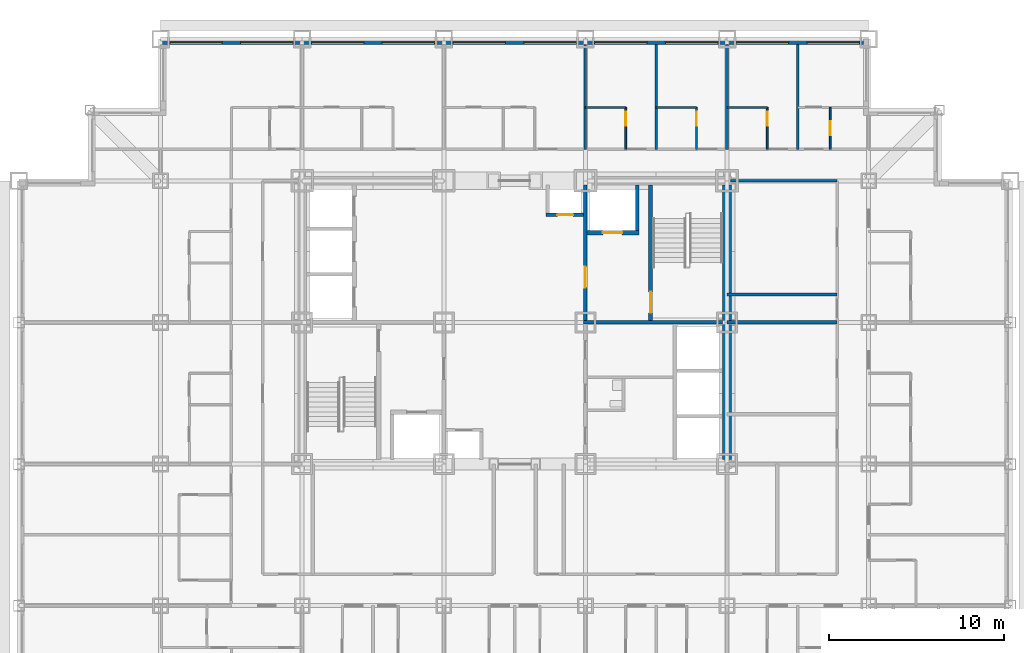
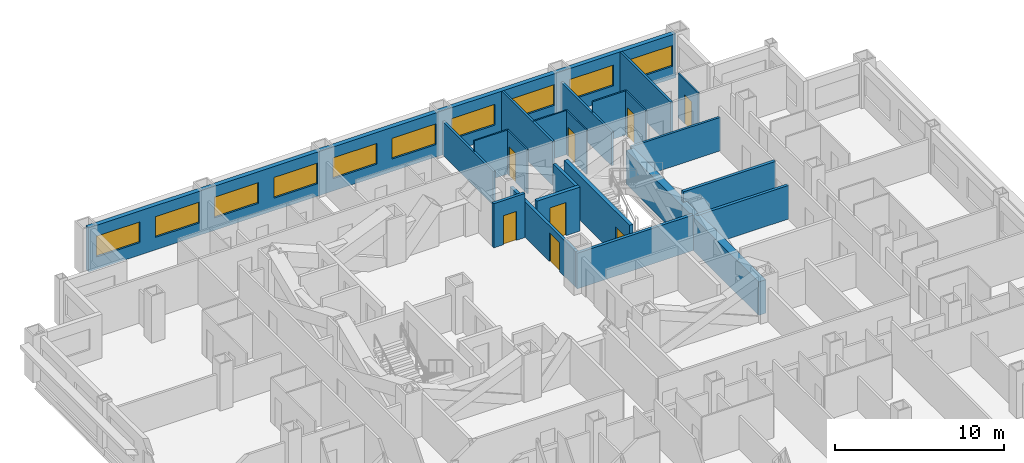
# One storey, part 9 of 12: 22 walls, 10 windows, 8 doors, 18 openings.
"""IFC4 building model written with IfcOpenShell, lengths in metres."""

import ifcopenshell
import ifcopenshell.guid

model = None  # the IFC model being written
_history = None  # IfcOwnerHistory: only IFC2X3 demands one
_inside = {}  # id of a spatial element -> (the spatial element, [elements in it])
_under = {}  # id of a project, library or spatial element -> (it, [spatial elements below it])
_declared = {}  # id of a project -> (the project, [libraries it declares])
_typed = {}  # id of a type object -> (the type object, [elements of that type])
_made_of = {}  # id of a material, layer set ... -> (it, [elements and type objects made of it])


def new_model(schema):
    """Start an empty IFC model of exactly this schema.

    Asked for "IFC4X3", IfcOpenShell would pick the latest addendum, in which some entities
    have other attributes; the version numbers below select the first issue.
    IFC2X3 requires an IfcOwnerHistory on every rooted entity: one is made here for all.
    """
    global model, _history
    if schema == "IFC4X3":
        model = ifcopenshell.file(schema_version=(4, 3, 0, 0))
    else:
        model = ifcopenshell.file(schema=schema)
    _inside.clear()
    _under.clear()
    _declared.clear()
    _typed.clear()
    _made_of.clear()
    _history = None
    if model.schema == "IFC2X3":
        org = make("IfcOrganization", Name="unknown")
        user = make(
            "IfcPersonAndOrganization",
            ThePerson=make("IfcPerson", FamilyName="unknown"),
            TheOrganization=org,
        )
        app = make(
            "IfcApplication",
            ApplicationDeveloper=org,
            Version="unknown",
            ApplicationFullName="unknown",
            ApplicationIdentifier="unknown",
        )
        _history = make(
            "IfcOwnerHistory",
            OwningUser=user,
            OwningApplication=app,
            ChangeAction="ADDED",
            CreationDate=0,
        )
    return model


def make(cls, **values):
    """One entity of the class cls with the attributes given. An attribute that is None is left unset."""
    return model.create_entity(
        cls, **{name: value for name, value in values.items() if value is not None}
    )


def rooted(cls, **values):
    """An entity with a GlobalId (a new one), such as an element, a storey or a relation."""
    return make(cls, GlobalId=ifcopenshell.guid.new(), OwnerHistory=_history, **values)


def si_unit(unit_type, name, prefix=None):
    """IfcSIUnit, for example si_unit("LENGTHUNIT", "METRE", prefix="MILLI")."""
    return make("IfcSIUnit", UnitType=unit_type, Prefix=prefix, Name=name)


def assignment(units):
    """IfcUnitAssignment: the units of a project."""
    return None if units is None else make("IfcUnitAssignment", Units=units)


def point(xyz):
    """IfcCartesianPoint."""
    return None if xyz is None else make("IfcCartesianPoint", Coordinates=xyz)


def direction(xyz):
    """IfcDirection."""
    return None if xyz is None else make("IfcDirection", DirectionRatios=xyz)


def frame(location, z_axis=None, x_axis=None):
    """IfcAxis2Placement3D, a coordinate frame: its origin and axes. An axis left out is left unset."""
    return make(
        "IfcAxis2Placement3D",
        Location=point(location),
        Axis=direction(z_axis),
        RefDirection=direction(x_axis),
    )


def frame_2d(location, x_axis=None):
    """IfcAxis2Placement2D, a coordinate frame in the plane: its origin and x axis."""
    return make(
        "IfcAxis2Placement2D", Location=point(location), RefDirection=direction(x_axis)
    )


def origin():
    """The frame at (0, 0, 0) with its axes left unset."""
    return frame((0.0, 0.0, 0.0))


def place(relative_to, where):
    """IfcLocalPlacement: puts the frame where relative to a parent placement (None: the world)."""
    return make(
        "IfcLocalPlacement", PlacementRelTo=relative_to, RelativePlacement=where
    )


def context(
    kind, dimensions, precision=None, world=None, true_north=None, identifier=None
):
    """IfcGeometricRepresentationContext, for example the 3D "Model" context."""
    return make(
        "IfcGeometricRepresentationContext",
        ContextIdentifier=identifier,
        ContextType=kind,
        CoordinateSpaceDimension=dimensions,
        Precision=precision,
        WorldCoordinateSystem=world,
        TrueNorth=true_north,
    )


def subcontext(parent, identifier, kind, view, scale=None):
    """IfcGeometricRepresentationSubContext, for example "Body" below "Model"."""
    return make(
        "IfcGeometricRepresentationSubContext",
        ContextIdentifier=identifier,
        ContextType=kind,
        ParentContext=parent,
        TargetScale=scale,
        TargetView=view,
    )


def project(units=None, contexts=None):
    """IfcProject with its units and contexts."""
    return rooted(
        "IfcProject",
        Name="project",
        RepresentationContexts=contexts,
        UnitsInContext=assignment(units),
    )


def spatial(cls, under=None, at=None, **own):
    """A site, building, storey or space (cls), placed at a placement, below another one or the project."""
    s = rooted(cls, ObjectPlacement=at, **own)
    if under is not None:
        _under.setdefault(under.id(), (under, []))[1].append(s)
    return s


def profile(cls, at=None, kind="AREA", **sizes):
    """A parametric profile (cls). Its sizes go by their IFC names, for example OverallWidth=200.0."""
    return make(cls, ProfileType=kind, Position=at, **sizes)


def rectangle(**sizes):
    """IfcRectangleProfileDef."""
    return profile("IfcRectangleProfileDef", **sizes)


def extrude(swept, where, along, depth):
    """IfcExtrudedAreaSolid: the profile swept, set in the frame where, extruded along a direction by depth."""
    return make(
        "IfcExtrudedAreaSolid",
        SweptArea=swept,
        Position=where,
        ExtrudedDirection=direction(along),
        Depth=depth,
    )


def shape(context_of_items, identifier, shape_type, items):
    """IfcShapeRepresentation: the items that make up one representation, for example the "Body"."""
    return make(
        "IfcShapeRepresentation",
        ContextOfItems=context_of_items,
        RepresentationIdentifier=identifier,
        RepresentationType=shape_type,
        Items=items,
    )


def material(Name=None, Category=None):
    """IfcMaterial."""
    return make("IfcMaterial", Name=Name, Category=Category)


def layer(
    of_material, thickness, ventilated=None, Name=None, Category=None, Priority=None
):
    """IfcMaterialLayer: one layer of a wall or slab, of a material (None: an air gap)."""
    return make(
        "IfcMaterialLayer",
        Material=of_material,
        LayerThickness=thickness,
        IsVentilated=ventilated,
        Name=Name,
        Category=Category,
        Priority=Priority,
    )


def layer_set(layers, Name=None):
    """IfcMaterialLayerSet."""
    return make("IfcMaterialLayerSet", MaterialLayers=layers, LayerSetName=Name)


def made_of(thing, what):
    """Note that an element or type object is made of a material, layer set ...; save() writes the relation."""
    if what is not None:
        _made_of.setdefault(what.id(), (what, []))[1].append(thing)
    return thing


def type_object(cls, material=None, **own):
    """A type object (cls), such as IfcWallType, which elements share."""
    return made_of(rooted(cls, **own), material)


def element(
    cls,
    number,
    at=None,
    inside=None,
    cuts=None,
    type_object=None,
    material=None,
    context=None,
    identifier="Body",
    shape_type=None,
    held_by="IfcProductDefinitionShape",
    body=None,
    shapes=None,
    **own,
):
    """One element of the class cls, such as IfcWall. Its Tag is "e" and its number.

    at: its placement. inside: the storey or other place that contains it. cuts: it is an
    opening in that element (IfcRelVoidsElement). A single representation is given by context,
    identifier, shape_type and body (its items); several are given by shapes. held_by: the class
    of the entity that holds the representations. save() writes the other relations.
    """
    e = rooted(cls, Tag="e%d" % number, ObjectPlacement=at, **own)
    if body is not None:
        shapes = [shape(context, identifier, shape_type, body)]
    if shapes is not None:
        e.Representation = make(held_by, Representations=shapes)
    if inside is not None:
        _inside.setdefault(inside.id(), (inside, []))[1].append(e)
    if cuts is not None:
        rooted(
            "IfcRelVoidsElement", RelatingBuildingElement=cuts, RelatedOpeningElement=e
        )
    if type_object is not None:
        _typed.setdefault(type_object.id(), (type_object, []))[1].append(e)
    return made_of(e, material)


def fill(opening, filler):
    """IfcRelFillsElement: the door or window that sits in an opening."""
    return rooted(
        "IfcRelFillsElement",
        RelatingOpeningElement=opening,
        RelatedBuildingElement=filler,
    )


def aggregate(whole, parts):
    """IfcRelAggregates: a whole, such as a stair, and the parts it consists of."""
    return rooted("IfcRelAggregates", RelatingObject=whole, RelatedObjects=parts)


def save(model, path):
    """Write the relations noted so far, then the file.

    IfcRelAggregates (storeys below a building ...), IfcRelContainedInSpatialStructure (elements
    in a storey), IfcRelDefinesByType, IfcRelAssociatesMaterial and IfcRelDeclares: one each for
    every whole, place, type object, material and project.
    """
    for whole, parts in _under.values():
        aggregate(whole, parts)
    for where, things in _inside.values():
        rooted(
            "IfcRelContainedInSpatialStructure",
            RelatedElements=things,
            RelatingStructure=where,
        )
    for kind, things in _typed.values():
        rooted("IfcRelDefinesByType", RelatedObjects=things, RelatingType=kind)
    for what, things in _made_of.values():
        rooted("IfcRelAssociatesMaterial", RelatedObjects=things, RelatingMaterial=what)
    for by, libraries in _declared.values():
        rooted("IfcRelDeclares", RelatingContext=by, RelatedDefinitions=libraries)
    model.write(path)


model = new_model("IFC4")

# Units and contexts
model_context = context("Model", 3, precision=1e-05, world=origin(), true_north=direction((0.0, 1.0)))
body_context = subcontext(model_context, "Body", "Model", "MODEL_VIEW")
ifc_project = project(units=[si_unit("LENGTHUNIT", "METRE"), si_unit("AREAUNIT", "SQUARE_METRE"), si_unit("VOLUMEUNIT", "CUBIC_METRE"), si_unit("PLANEANGLEUNIT", "RADIAN"), si_unit("MASSUNIT", "GRAM", prefix="KILO")], contexts=[model_context])

# Site, building, storey
site_placement = place(None, origin())
site = spatial("IfcSite", under=ifc_project, at=site_placement, CompositionType="ELEMENT")
building_placement = place(site_placement, origin())
building = spatial("IfcBuilding", under=site, at=building_placement, Name="Kopane Lantern Tower", CompositionType="ELEMENT")
storey_placement = place(building_placement, frame((0.0, 0.0, 77.199951171875)))
storey = spatial("IfcBuildingStorey", under=building, at=storey_placement, Name="L19", CompositionType="ELEMENT", Elevation=77.199951171875)

# Wall
ifc_material_1 = material(Name="Moisture-resistant board on steel studs", Category="steel")
ifc_layer_1 = layer(ifc_material_1, 0.10009765625)
ifc_layer_set_1 = layer_set([ifc_layer_1], Name="BATHROOM WALL 100")
wall_type_1 = type_object("IfcWallType", Name="BATHROOM WALL 100", PredefinedType="PARTITIONING", material=ifc_layer_set_1)
wall_1_placement = place(storey_placement, frame((32.39990234375, 44.699951171875, 0.0), z_axis=(0.0, 0.0, 1.0), x_axis=(1.0, 0.0, 0.0)))
element("IfcWall", 1, at=wall_1_placement, inside=storey, type_object=wall_type_1, Name="Bathroom Wall 100 L19", PredefinedType="PARTITIONING", context=body_context, shape_type="SweptSolid", body=[
    extrude(rectangle(XDim=2.300048828125, YDim=0.10009765625, at=frame_2d((1.14990234375, 0.0))), origin(), (0.0, 0.0, 1.0), 3.18994140625),
])

# Wall, opening, door
wall_2_placement = place(storey_placement, frame((34.699951171875, 42.300048828125, 0.0), z_axis=(0.0, 0.0, 1.0), x_axis=(0.0, 1.0, 0.0)))
wall_2 = element("IfcWall", 2, at=wall_2_placement, inside=storey, type_object=wall_type_1, Name="Bathroom Wall 100 L19", PredefinedType="PARTITIONING", context=body_context, shape_type="SweptSolid", body=[
    extrude(rectangle(XDim=2.39990234375, YDim=0.10009765625, at=frame_2d((1.199951171875, 0.0))), origin(), (0.0, 0.0, 1.0), 3.18994140625),
])
opening_1_placement = place(wall_2_placement, frame((1.35009765625, 0.0, 0.0)))
opening_1 = element("IfcOpeningElement", 3, at=opening_1_placement, cuts=wall_2, Name="Opening L19-033", PredefinedType="OPENING", context=body_context, shape_type="SweptSolid", body=[
    extrude(rectangle(XDim=0.800048828125, YDim=2.10009765625, at=frame_2d((0.39990234375, 1.050048828125))), frame((0.0, 0.06005859375, 0.0), z_axis=(0.0, -1.0, 0.0), x_axis=(1.0, 0.0, 0.0)), (0.0, 0.0, 1.0), 0.1201171875),
])
ifc_material_2 = material(Name="Timber door set", Category="wood")
door_type_1 = type_object("IfcDoorType", Name="DOOR D2 800x2100", OperationType="SINGLE_SWING_LEFT", PredefinedType="DOOR", material=ifc_material_2)
door_1_placement = place(opening_1_placement, origin())
door_1 = element("IfcDoor", 4, at=door_1_placement, inside=storey, type_object=door_type_1, Name="Door L19-033", OperationType="SINGLE_SWING_RIGHT", OverallHeight=2.10009765625, OverallWidth=0.800048828125, PredefinedType="DOOR", context=body_context, shape_type="SweptSolid", body=[
    extrude(rectangle(XDim=0.800048828125, YDim=2.10009765625, at=frame_2d((0.39990234375, 1.050048828125))), frame((0.0, 0.02490234375, 0.0), z_axis=(0.0, -1.0, 0.0), x_axis=(1.0, 0.0, 0.0)), (0.0, 0.0, 1.0), 0.050048828125),
])
fill(opening_1, door_1)

# Wall
wall_3_placement = place(storey_placement, frame((36.449951171875, 44.699951171875, 0.0), z_axis=(0.0, 0.0, 1.0), x_axis=(1.0, 0.0, 0.0)))
element("IfcWall", 5, at=wall_3_placement, inside=storey, type_object=wall_type_1, Name="Bathroom Wall 100 L19", PredefinedType="PARTITIONING", context=body_context, shape_type="SweptSolid", body=[
    extrude(rectangle(XDim=2.300048828125, YDim=0.10009765625, at=frame_2d((1.14990234375, 0.0))), origin(), (0.0, 0.0, 1.0), 3.18994140625),
])

# Wall, opening, door
wall_4_placement = place(storey_placement, frame((38.75, 42.300048828125, 0.0), z_axis=(0.0, 0.0, 1.0), x_axis=(0.0, 1.0, 0.0)))
wall_4 = element("IfcWall", 6, at=wall_4_placement, inside=storey, type_object=wall_type_1, Name="Bathroom Wall 100 L19", PredefinedType="PARTITIONING", context=body_context, shape_type="SweptSolid", body=[
    extrude(rectangle(XDim=2.39990234375, YDim=0.10009765625, at=frame_2d((1.199951171875, 0.0))), origin(), (0.0, 0.0, 1.0), 3.18994140625),
])
opening_2_placement = place(wall_4_placement, frame((1.35009765625, 0.0, 0.0)))
opening_2 = element("IfcOpeningElement", 7, at=opening_2_placement, cuts=wall_4, Name="Opening L19-035", PredefinedType="OPENING", context=body_context, shape_type="SweptSolid", body=[
    extrude(rectangle(XDim=0.800048828125, YDim=2.10009765625, at=frame_2d((0.39990234375, 1.050048828125))), frame((0.0, 0.06005859375, 0.0), z_axis=(0.0, -1.0, 0.0), x_axis=(1.0, 0.0, 0.0)), (0.0, 0.0, 1.0), 0.1201171875),
])
door_2_placement = place(opening_2_placement, origin())
door_2 = element("IfcDoor", 8, at=door_2_placement, inside=storey, type_object=door_type_1, Name="Door L19-035", OperationType="SINGLE_SWING_RIGHT", OverallHeight=2.10009765625, OverallWidth=0.800048828125, PredefinedType="DOOR", context=body_context, shape_type="SweptSolid", body=[
    extrude(rectangle(XDim=0.800048828125, YDim=2.10009765625, at=frame_2d((0.39990234375, 1.050048828125))), frame((0.0, 0.02490234375, 0.0), z_axis=(0.0, -1.0, 0.0), x_axis=(1.0, 0.0, 0.0)), (0.0, 0.0, 1.0), 0.050048828125),
])
fill(opening_2, door_2)

# Wall
wall_5_placement = place(storey_placement, frame((40.5, 44.699951171875, 0.0), z_axis=(0.0, 0.0, 1.0), x_axis=(1.0, 0.0, 0.0)))
element("IfcWall", 9, at=wall_5_placement, inside=storey, type_object=wall_type_1, Name="Bathroom Wall 100 L19", PredefinedType="PARTITIONING", context=body_context, shape_type="SweptSolid", body=[
    extrude(rectangle(XDim=2.300048828125, YDim=0.10009765625, at=frame_2d((1.14990234375, 0.0))), origin(), (0.0, 0.0, 1.0), 3.18994140625),
])

# Wall, opening, door
wall_6_placement = place(storey_placement, frame((42.800048828125, 42.300048828125, 0.0), z_axis=(0.0, 0.0, 1.0), x_axis=(0.0, 1.0, 0.0)))
wall_6 = element("IfcWall", 10, at=wall_6_placement, inside=storey, type_object=wall_type_1, Name="Bathroom Wall 100 L19", PredefinedType="PARTITIONING", context=body_context, shape_type="SweptSolid", body=[
    extrude(rectangle(XDim=2.39990234375, YDim=0.10009765625, at=frame_2d((1.199951171875, 0.0))), origin(), (0.0, 0.0, 1.0), 3.18994140625),
])
opening_3_placement = place(wall_6_placement, frame((1.35009765625, 0.0, 0.0)))
opening_3 = element("IfcOpeningElement", 11, at=opening_3_placement, cuts=wall_6, Name="Opening L19-037", PredefinedType="OPENING", context=body_context, shape_type="SweptSolid", body=[
    extrude(rectangle(XDim=0.800048828125, YDim=2.10009765625, at=frame_2d((0.39990234375, 1.050048828125))), frame((0.0, 0.06005859375, 0.0), z_axis=(0.0, -1.0, 0.0), x_axis=(1.0, 0.0, 0.0)), (0.0, 0.0, 1.0), 0.1201171875),
])
door_3_placement = place(opening_3_placement, origin())
door_3 = element("IfcDoor", 12, at=door_3_placement, inside=storey, type_object=door_type_1, Name="Door L19-037", OperationType="SINGLE_SWING_RIGHT", OverallHeight=2.10009765625, OverallWidth=0.800048828125, PredefinedType="DOOR", context=body_context, shape_type="SweptSolid", body=[
    extrude(rectangle(XDim=0.800048828125, YDim=2.10009765625, at=frame_2d((0.39990234375, 1.050048828125))), frame((0.0, 0.02490234375, 0.0), z_axis=(0.0, -1.0, 0.0), x_axis=(1.0, 0.0, 0.0)), (0.0, 0.0, 1.0), 0.050048828125),
])
fill(opening_3, door_3)

wall_7_placement = place(storey_placement, frame((46.39990234375, 42.300048828125, 0.0), z_axis=(0.0, 0.0, 1.0), x_axis=(0.0, 1.0, 0.0)))
wall_7 = element("IfcWall", 13, at=wall_7_placement, inside=storey, type_object=wall_type_1, Name="Bathroom Wall 100 L19", PredefinedType="PARTITIONING", context=body_context, shape_type="SweptSolid", body=[
    extrude(rectangle(XDim=2.39990234375, YDim=0.10009765625, at=frame_2d((1.199951171875, 0.0))), origin(), (0.0, 0.0, 1.0), 3.18994140625),
])
opening_4_placement = place(wall_7_placement, frame((0.800048828125, 0.0, 0.0)))
opening_4 = element("IfcOpeningElement", 14, at=opening_4_placement, cuts=wall_7, Name="Opening L19-067", PredefinedType="OPENING", context=body_context, shape_type="SweptSolid", body=[
    extrude(rectangle(XDim=0.800048828125, YDim=2.10009765625, at=frame_2d((0.39990234375, 1.050048828125))), frame((0.0, 0.06005859375, 0.0), z_axis=(0.0, -1.0, 0.0), x_axis=(1.0, 0.0, 0.0)), (0.0, 0.0, 1.0), 0.1201171875),
])
door_4_placement = place(opening_4_placement, origin())
door_4 = element("IfcDoor", 15, at=door_4_placement, inside=storey, type_object=door_type_1, Name="Door L19-067", OperationType="SINGLE_SWING_RIGHT", OverallHeight=2.10009765625, OverallWidth=0.800048828125, PredefinedType="DOOR", context=body_context, shape_type="SweptSolid", body=[
    extrude(rectangle(XDim=0.800048828125, YDim=2.10009765625, at=frame_2d((0.39990234375, 1.050048828125))), frame((0.0, 0.02490234375, 0.0), z_axis=(0.0, -1.0, 0.0), x_axis=(1.0, 0.0, 0.0)), (0.0, 0.0, 1.0), 0.050048828125),
])
fill(opening_4, door_4)

# Wall
ifc_material_3 = material(Name="Gypsum shaft wall EI 120", Category="gypsum")
ifc_layer_2 = layer(ifc_material_3, 0.5)
ifc_layer_set_2 = layer_set([ifc_layer_2], Name="CORE PERIMETER WALL 500 EI 120")
wall_type_2 = type_object("IfcWallType", Name="CORE PERIMETER WALL 500 EI 120", PredefinedType="SOLIDWALL", material=ifc_layer_set_2)
wall_8_placement = place(storey_placement, frame((40.5, 24.550048828125, 0.0), z_axis=(0.0, 0.0, 1.0), x_axis=(0.0, 1.0, 0.0)))
element("IfcWall", 16, at=wall_8_placement, inside=storey, type_object=wall_type_2, Name="Core shaft wall L19 PE", PredefinedType="SOLIDWALL", context=body_context, shape_type="SweptSolid", body=[
    extrude(rectangle(XDim=15.699951171875, YDim=0.5, at=frame_2d((7.85009765625, 0.0))), origin(), (0.0, 0.0, 1.0), 2.427734375),
])

# Wall, opening, door
ifc_material_4 = material(Name="Gypsum shaft wall EI 120", Category="gypsum")
ifc_layer_3 = layer(ifc_material_4, 0.25)
ifc_layer_set_3 = layer_set([ifc_layer_3], Name="CORE SHAFT WALL 250 EI 120")
wall_type_3 = type_object("IfcWallType", Name="CORE SHAFT WALL 250 EI 120", PredefinedType="SOLIDWALL", material=ifc_layer_set_3)
wall_9_placement = place(storey_placement, frame((36.125, 32.5, 0.0), z_axis=(0.0, 0.0, 1.0), x_axis=(0.0, 1.0, 0.0)))
wall_9 = element("IfcWall", 17, at=wall_9_placement, inside=storey, type_object=wall_type_3, Name="Core shaft wall L19 XST2", PredefinedType="SOLIDWALL", context=body_context, shape_type="SweptSolid", body=[
    extrude(rectangle(XDim=7.75, YDim=0.25, at=frame_2d((3.875, 0.0))), origin(), (0.0, 0.0, 1.0), 3.18994140625),
])
opening_5_placement = place(wall_9_placement, frame((0.449951171875, 0.0, 0.0)))
opening_5 = element("IfcOpeningElement", 18, at=opening_5_placement, cuts=wall_9, Name="Opening 19.SD2", PredefinedType="OPENING", context=body_context, shape_type="SweptSolid", body=[
    extrude(rectangle(XDim=1.199951171875, YDim=2.10009765625, at=frame_2d((0.60009765625, 1.050048828125))), frame((0.0, 0.135009765625, 0.0), z_axis=(0.0, -1.0, 0.0), x_axis=(1.0, 0.0, 0.0)), (0.0, 0.0, 1.0), 0.27001953125),
])
ifc_material_5 = material(Name="Steel door set", Category="steel")
door_type_2 = type_object("IfcDoorType", Name="STAIR DOOR 1200x2100 FD60S", OperationType="SINGLE_SWING_LEFT", PredefinedType="DOOR", material=ifc_material_5)
door_5_placement = place(opening_5_placement, origin())
door_5 = element("IfcDoor", 19, at=door_5_placement, inside=storey, type_object=door_type_2, Name="Stair door ST2 L19", OperationType="SINGLE_SWING_RIGHT", OverallHeight=2.10009765625, OverallWidth=1.199951171875, PredefinedType="DOOR", context=body_context, shape_type="SweptSolid", body=[
    extrude(rectangle(XDim=1.199951171875, YDim=2.10009765625, at=frame_2d((0.60009765625, 1.050048828125))), frame((0.0, 0.02490234375, 0.0), z_axis=(0.0, -1.0, 0.0), x_axis=(1.0, 0.0, 0.0)), (0.0, 0.0, 1.0), 0.050048828125),
])
fill(opening_5, door_5)

wall_10_placement = place(storey_placement, frame((32.5, 37.52490234375, 0.0), z_axis=(0.0, 0.0, 1.0), x_axis=(1.0, 0.0, 0.0)))
wall_10 = element("IfcWall", 20, at=wall_10_placement, inside=storey, type_object=wall_type_3, Name="Core shaft wall L19 YLF2", PredefinedType="SOLIDWALL", context=body_context, shape_type="SweptSolid", body=[
    extrude(rectangle(XDim=2.949951171875, YDim=0.25, at=frame_2d((1.47509765625, 0.0))), origin(), (0.0, 0.0, 1.0), 3.18994140625),
])
opening_6_placement = place(wall_10_placement, frame((0.89990234375, 0.0, 0.0)))
opening_6 = element("IfcOpeningElement", 21, at=opening_6_placement, cuts=wall_10, Name="Opening 19.LD-LF2", PredefinedType="OPENING", context=body_context, shape_type="SweptSolid", body=[
    extrude(rectangle(XDim=1.10009765625, YDim=2.39990234375, at=frame_2d((0.550048828125, 1.199951171875))), frame((0.0, 0.135009765625, 0.0), z_axis=(0.0, -1.0, 0.0), x_axis=(1.0, 0.0, 0.0)), (0.0, 0.0, 1.0), 0.27001953125),
])
ifc_material_6 = material(Name="Steel door set", Category="steel")
door_type_3 = type_object("IfcDoorType", Name="LIFT LANDING DOOR 1100x2400 FD60", OperationType="DOUBLE_DOOR_SLIDING", PredefinedType="DOOR", material=ifc_material_6)
door_6_placement = place(opening_6_placement, origin())
door_6 = element("IfcDoor", 22, at=door_6_placement, inside=storey, type_object=door_type_3, Name="Landing door LF2 L19", OperationType="DOUBLE_DOOR_SLIDING", OverallHeight=2.39990234375, OverallWidth=1.10009765625, PredefinedType="DOOR", context=body_context, shape_type="SweptSolid", body=[
    extrude(rectangle(XDim=1.10009765625, YDim=2.39990234375, at=frame_2d((0.550048828125, 1.199951171875))), frame((0.0, 0.02490234375, 0.0), z_axis=(0.0, -1.0, 0.0), x_axis=(1.0, 0.0, 0.0)), (0.0, 0.0, 1.0), 0.050048828125),
])
fill(opening_6, door_6)

# Walls
ifc_material_7 = material(Name="Gypsum board on steel studs", Category="steel")
ifc_layer_4 = layer(ifc_material_7, 0.14990234375)
ifc_layer_set_4 = layer_set([ifc_layer_4], Name="CORRIDOR WALL 150 EI 60")
wall_type_4 = type_object("IfcWallType", Name="CORRIDOR WALL 150 EI 60", PredefinedType="PARTITIONING", material=ifc_layer_set_4)
wall_11_placement = place(storey_placement, frame((46.800048828125, 40.5, 0.0), z_axis=(0.0, 0.0, 1.0), x_axis=(-1.0, 0.0, 0.0)))
element("IfcWall", 23, at=wall_11_placement, inside=storey, type_object=wall_type_4, Name="Corridor Wall 150 Ei 60 L19", PredefinedType="PARTITIONING", context=body_context, shape_type="SweptSolid", body=[
    extrude(rectangle(XDim=6.10009765625, YDim=0.14990234375, at=frame_2d((3.050048828125, 0.0))), origin(), (0.0, 0.0, 1.0), 2.427734375),
])
ifc_material_8 = material(Name="Gypsum board on steel studs", Category="steel")
ifc_layer_5 = layer(ifc_material_8, 0.14990234375)
ifc_layer_set_5 = layer_set([ifc_layer_5], Name="DEMISING WALL 150 EI 60")
wall_type_5 = type_object("IfcWallType", Name="DEMISING WALL 150 EI 60", PredefinedType="PARTITIONING", material=ifc_layer_set_5)
wall_12_placement = place(storey_placement, frame((32.39990234375, 42.300048828125, 0.0), z_axis=(0.0, 0.0, 1.0), x_axis=(0.0, 1.0, 0.0)))
element("IfcWall", 24, at=wall_12_placement, inside=storey, type_object=wall_type_5, Name="Demising Wall 150 Ei 60 L19", PredefinedType="PARTITIONING", context=body_context, shape_type="SweptSolid", body=[
    extrude(rectangle(XDim=6.0, YDim=0.14990234375, at=frame_2d((3.0, 0.0))), origin(), (0.0, 0.0, 1.0), 2.427734375),
])
wall_13_placement = place(storey_placement, frame((36.449951171875, 42.300048828125, 0.0), z_axis=(0.0, 0.0, 1.0), x_axis=(0.0, 1.0, 0.0)))
element("IfcWall", 25, at=wall_13_placement, inside=storey, type_object=wall_type_5, Name="Demising Wall 150 Ei 60 L19", PredefinedType="PARTITIONING", context=body_context, shape_type="SweptSolid", body=[
    extrude(rectangle(XDim=6.0, YDim=0.14990234375, at=frame_2d((3.0, 0.0))), origin(), (0.0, 0.0, 1.0), 3.18994140625),
])
wall_14_placement = place(storey_placement, frame((40.5, 42.300048828125, 0.0), z_axis=(0.0, 0.0, 1.0), x_axis=(0.0, 1.0, 0.0)))
element("IfcWall", 26, at=wall_14_placement, inside=storey, type_object=wall_type_5, Name="Demising Wall 150 Ei 60 L19", PredefinedType="PARTITIONING", context=body_context, shape_type="SweptSolid", body=[
    extrude(rectangle(XDim=6.0, YDim=0.14990234375, at=frame_2d((3.0, 0.0))), origin(), (0.0, 0.0, 1.0), 2.427734375),
])
wall_15_placement = place(storey_placement, frame((44.550048828125, 42.300048828125, 0.0), z_axis=(0.0, 0.0, 1.0), x_axis=(0.0, 1.0, 0.0)))
element("IfcWall", 27, at=wall_15_placement, inside=storey, type_object=wall_type_5, Name="Demising Wall 150 Ei 60 L19", PredefinedType="PARTITIONING", context=body_context, shape_type="SweptSolid", body=[
    extrude(rectangle(XDim=6.0, YDim=0.14990234375, at=frame_2d((3.0, 0.0))), origin(), (0.0, 0.0, 1.0), 3.18994140625),
])

# Wall, openings, windows
ifc_material_9 = material(Name="Terracotta rainscreen on light steel framing", Category="masonry")
ifc_layer_6 = layer(ifc_material_9, 0.300048828125)
ifc_layer_set_6 = layer_set([ifc_layer_6], Name="EXTERNAL WALL EW1 300 TERRACOTTA")
wall_type_6 = type_object("IfcWallType", Name="EXTERNAL WALL EW1 300 TERRACOTTA", PredefinedType="SOLIDWALL", material=ifc_layer_set_6)
wall_16_placement = place(storey_placement, frame((48.300048828125, 48.449951171875, 0.0), z_axis=(0.0, 0.0, 1.0), x_axis=(-1.0, 0.0, 0.0)))
wall_16 = element("IfcWall", 28, at=wall_16_placement, inside=storey, type_object=wall_type_6, Name="External wall N L19", PredefinedType="SOLIDWALL", context=body_context, shape_type="SweptSolid", body=[
    extrude(rectangle(XDim=40.199951171875, YDim=0.300048828125, at=frame_2d((20.10009765625, 0.0))), origin(), (0.0, 0.0, 1.0), 3.18994140625),
])
opening_7_placement = place(wall_16_placement, frame((0.22509765625, 0.0, 0.89990234375)))
opening_7 = element("IfcOpeningElement", 29, at=opening_7_placement, cuts=wall_16, Name="Opening WR300150", PredefinedType="OPENING", context=body_context, shape_type="SweptSolid", body=[
    extrude(rectangle(XDim=3.0, YDim=1.5, at=frame_2d((1.5, 0.75))), frame((0.0, 0.159912109375, 0.0), z_axis=(0.0, -1.0, 0.0), x_axis=(1.0, 0.0, 0.0)), (0.0, 0.0, 1.0), 0.320068359375),
])
opening_8_placement = place(wall_16_placement, frame((4.27490234375, 0.0, 0.89990234375)))
opening_8 = element("IfcOpeningElement", 30, at=opening_8_placement, cuts=wall_16, Name="Opening WR300150", PredefinedType="OPENING", context=body_context, shape_type="SweptSolid", body=[
    extrude(rectangle(XDim=3.0, YDim=1.5, at=frame_2d((1.5, 0.75))), frame((0.0, 0.159912109375, 0.0), z_axis=(0.0, -1.0, 0.0), x_axis=(1.0, 0.0, 0.0)), (0.0, 0.0, 1.0), 0.320068359375),
])
opening_9_placement = place(wall_16_placement, frame((8.324951171875, 0.0, 0.89990234375)))
opening_9 = element("IfcOpeningElement", 31, at=opening_9_placement, cuts=wall_16, Name="Opening WR300150", PredefinedType="OPENING", context=body_context, shape_type="SweptSolid", body=[
    extrude(rectangle(XDim=3.0, YDim=1.5, at=frame_2d((1.5, 0.75))), frame((0.0, 0.159912109375, 0.0), z_axis=(0.0, -1.0, 0.0), x_axis=(1.0, 0.0, 0.0)), (0.0, 0.0, 1.0), 0.320068359375),
])
opening_10_placement = place(wall_16_placement, frame((12.375, 0.0, 0.89990234375)))
opening_10 = element("IfcOpeningElement", 32, at=opening_10_placement, cuts=wall_16, Name="Opening WR300150", PredefinedType="OPENING", context=body_context, shape_type="SweptSolid", body=[
    extrude(rectangle(XDim=3.0, YDim=1.5, at=frame_2d((1.5, 0.75))), frame((0.0, 0.159912109375, 0.0), z_axis=(0.0, -1.0, 0.0), x_axis=(1.0, 0.0, 0.0)), (0.0, 0.0, 1.0), 0.320068359375),
])
opening_11_placement = place(wall_16_placement, frame((16.425048828125, 0.0, 0.89990234375)))
opening_11 = element("IfcOpeningElement", 33, at=opening_11_placement, cuts=wall_16, Name="Opening WR300150", PredefinedType="OPENING", context=body_context, shape_type="SweptSolid", body=[
    extrude(rectangle(XDim=3.0, YDim=1.5, at=frame_2d((1.5, 0.75))), frame((0.0, 0.159912109375, 0.0), z_axis=(0.0, -1.0, 0.0), x_axis=(1.0, 0.0, 0.0)), (0.0, 0.0, 1.0), 0.320068359375),
])
opening_12_placement = place(wall_16_placement, frame((20.47509765625, 0.0, 0.89990234375)))
opening_12 = element("IfcOpeningElement", 34, at=opening_12_placement, cuts=wall_16, Name="Opening WR300150", PredefinedType="OPENING", context=body_context, shape_type="SweptSolid", body=[
    extrude(rectangle(XDim=3.0, YDim=1.5, at=frame_2d((1.5, 0.75))), frame((0.0, 0.159912109375, 0.0), z_axis=(0.0, -1.0, 0.0), x_axis=(1.0, 0.0, 0.0)), (0.0, 0.0, 1.0), 0.320068359375),
])
opening_13_placement = place(wall_16_placement, frame((24.52490234375, 0.0, 0.89990234375)))
opening_13 = element("IfcOpeningElement", 35, at=opening_13_placement, cuts=wall_16, Name="Opening WR300150", PredefinedType="OPENING", context=body_context, shape_type="SweptSolid", body=[
    extrude(rectangle(XDim=3.0, YDim=1.5, at=frame_2d((1.5, 0.75))), frame((0.0, 0.159912109375, 0.0), z_axis=(0.0, -1.0, 0.0), x_axis=(1.0, 0.0, 0.0)), (0.0, 0.0, 1.0), 0.320068359375),
])
opening_14_placement = place(wall_16_placement, frame((28.574951171875, 0.0, 0.89990234375)))
opening_14 = element("IfcOpeningElement", 36, at=opening_14_placement, cuts=wall_16, Name="Opening WR300150", PredefinedType="OPENING", context=body_context, shape_type="SweptSolid", body=[
    extrude(rectangle(XDim=3.0, YDim=1.5, at=frame_2d((1.5, 0.75))), frame((0.0, 0.159912109375, 0.0), z_axis=(0.0, -1.0, 0.0), x_axis=(1.0, 0.0, 0.0)), (0.0, 0.0, 1.0), 0.320068359375),
])
opening_15_placement = place(wall_16_placement, frame((32.625, 0.0, 0.89990234375)))
opening_15 = element("IfcOpeningElement", 37, at=opening_15_placement, cuts=wall_16, Name="Opening WR300150", PredefinedType="OPENING", context=body_context, shape_type="SweptSolid", body=[
    extrude(rectangle(XDim=3.0, YDim=1.5, at=frame_2d((1.5, 0.75))), frame((0.0, 0.159912109375, 0.0), z_axis=(0.0, -1.0, 0.0), x_axis=(1.0, 0.0, 0.0)), (0.0, 0.0, 1.0), 0.320068359375),
])
opening_16_placement = place(wall_16_placement, frame((36.675048828125, 0.0, 0.89990234375)))
opening_16 = element("IfcOpeningElement", 38, at=opening_16_placement, cuts=wall_16, Name="Opening WR300150", PredefinedType="OPENING", context=body_context, shape_type="SweptSolid", body=[
    extrude(rectangle(XDim=3.0, YDim=1.5, at=frame_2d((1.5, 0.75))), frame((0.0, 0.159912109375, 0.0), z_axis=(0.0, -1.0, 0.0), x_axis=(1.0, 0.0, 0.0)), (0.0, 0.0, 1.0), 0.320068359375),
])
ifc_material_10 = material(Name="Aluminium and clear glass", Category="aluminium")
window_type = type_object("IfcWindowType", Name="RIBBON WINDOW WR300150 3000x1500", PartitioningType="SINGLE_PANEL", PredefinedType="WINDOW", material=ifc_material_10)
window_1_placement = place(opening_7_placement, origin())
window_1 = element("IfcWindow", 39, at=window_1_placement, inside=storey, type_object=window_type, Name="Window N L19", OverallHeight=1.5, OverallWidth=3.0, PartitioningType="SINGLE_PANEL", PredefinedType="WINDOW", context=body_context, shape_type="SweptSolid", body=[
    extrude(rectangle(XDim=3.0, YDim=1.5, at=frame_2d((1.5, 0.75))), frame((0.0, 0.030029296875, 0.0), z_axis=(0.0, -1.0, 0.0), x_axis=(1.0, 0.0, 0.0)), (0.0, 0.0, 1.0), 0.06005859375),
])
fill(opening_7, window_1)
window_2_placement = place(opening_8_placement, origin())
window_2 = element("IfcWindow", 40, at=window_2_placement, inside=storey, type_object=window_type, Name="Window N L19", OverallHeight=1.5, OverallWidth=3.0, PartitioningType="SINGLE_PANEL", PredefinedType="WINDOW", context=body_context, shape_type="SweptSolid", body=[
    extrude(rectangle(XDim=3.0, YDim=1.5, at=frame_2d((1.5, 0.75))), frame((0.0, 0.030029296875, 0.0), z_axis=(0.0, -1.0, 0.0), x_axis=(1.0, 0.0, 0.0)), (0.0, 0.0, 1.0), 0.06005859375),
])
fill(opening_8, window_2)
window_3_placement = place(opening_9_placement, origin())
window_3 = element("IfcWindow", 41, at=window_3_placement, inside=storey, type_object=window_type, Name="Window N L19", OverallHeight=1.5, OverallWidth=3.0, PartitioningType="SINGLE_PANEL", PredefinedType="WINDOW", context=body_context, shape_type="SweptSolid", body=[
    extrude(rectangle(XDim=3.0, YDim=1.5, at=frame_2d((1.5, 0.75))), frame((0.0, 0.030029296875, 0.0), z_axis=(0.0, -1.0, 0.0), x_axis=(1.0, 0.0, 0.0)), (0.0, 0.0, 1.0), 0.06005859375),
])
fill(opening_9, window_3)
window_4_placement = place(opening_10_placement, origin())
window_4 = element("IfcWindow", 42, at=window_4_placement, inside=storey, type_object=window_type, Name="Window N L19", OverallHeight=1.5, OverallWidth=3.0, PartitioningType="SINGLE_PANEL", PredefinedType="WINDOW", context=body_context, shape_type="SweptSolid", body=[
    extrude(rectangle(XDim=3.0, YDim=1.5, at=frame_2d((1.5, 0.75))), frame((0.0, 0.030029296875, 0.0), z_axis=(0.0, -1.0, 0.0), x_axis=(1.0, 0.0, 0.0)), (0.0, 0.0, 1.0), 0.06005859375),
])
fill(opening_10, window_4)
window_5_placement = place(opening_11_placement, origin())
window_5 = element("IfcWindow", 43, at=window_5_placement, inside=storey, type_object=window_type, Name="Window N L19", OverallHeight=1.5, OverallWidth=3.0, PartitioningType="SINGLE_PANEL", PredefinedType="WINDOW", context=body_context, shape_type="SweptSolid", body=[
    extrude(rectangle(XDim=3.0, YDim=1.5, at=frame_2d((1.5, 0.75))), frame((0.0, 0.030029296875, 0.0), z_axis=(0.0, -1.0, 0.0), x_axis=(1.0, 0.0, 0.0)), (0.0, 0.0, 1.0), 0.06005859375),
])
fill(opening_11, window_5)
window_6_placement = place(opening_12_placement, origin())
window_6 = element("IfcWindow", 44, at=window_6_placement, inside=storey, type_object=window_type, Name="Window N L19", OverallHeight=1.5, OverallWidth=3.0, PartitioningType="SINGLE_PANEL", PredefinedType="WINDOW", context=body_context, shape_type="SweptSolid", body=[
    extrude(rectangle(XDim=3.0, YDim=1.5, at=frame_2d((1.5, 0.75))), frame((0.0, 0.030029296875, 0.0), z_axis=(0.0, -1.0, 0.0), x_axis=(1.0, 0.0, 0.0)), (0.0, 0.0, 1.0), 0.06005859375),
])
fill(opening_12, window_6)
window_7_placement = place(opening_13_placement, origin())
window_7 = element("IfcWindow", 45, at=window_7_placement, inside=storey, type_object=window_type, Name="Window N L19", OverallHeight=1.5, OverallWidth=3.0, PartitioningType="SINGLE_PANEL", PredefinedType="WINDOW", context=body_context, shape_type="SweptSolid", body=[
    extrude(rectangle(XDim=3.0, YDim=1.5, at=frame_2d((1.5, 0.75))), frame((0.0, 0.030029296875, 0.0), z_axis=(0.0, -1.0, 0.0), x_axis=(1.0, 0.0, 0.0)), (0.0, 0.0, 1.0), 0.06005859375),
])
fill(opening_13, window_7)
window_8_placement = place(opening_14_placement, origin())
window_8 = element("IfcWindow", 46, at=window_8_placement, inside=storey, type_object=window_type, Name="Window N L19", OverallHeight=1.5, OverallWidth=3.0, PartitioningType="SINGLE_PANEL", PredefinedType="WINDOW", context=body_context, shape_type="SweptSolid", body=[
    extrude(rectangle(XDim=3.0, YDim=1.5, at=frame_2d((1.5, 0.75))), frame((0.0, 0.030029296875, 0.0), z_axis=(0.0, -1.0, 0.0), x_axis=(1.0, 0.0, 0.0)), (0.0, 0.0, 1.0), 0.06005859375),
])
fill(opening_14, window_8)
window_9_placement = place(opening_15_placement, origin())
window_9 = element("IfcWindow", 47, at=window_9_placement, inside=storey, type_object=window_type, Name="Window N L19", OverallHeight=1.5, OverallWidth=3.0, PartitioningType="SINGLE_PANEL", PredefinedType="WINDOW", context=body_context, shape_type="SweptSolid", body=[
    extrude(rectangle(XDim=3.0, YDim=1.5, at=frame_2d((1.5, 0.75))), frame((0.0, 0.030029296875, 0.0), z_axis=(0.0, -1.0, 0.0), x_axis=(1.0, 0.0, 0.0)), (0.0, 0.0, 1.0), 0.06005859375),
])
fill(opening_15, window_9)
window_10_placement = place(opening_16_placement, origin())
window_10 = element("IfcWindow", 48, at=window_10_placement, inside=storey, type_object=window_type, Name="Window N L19", OverallHeight=1.5, OverallWidth=3.0, PartitioningType="SINGLE_PANEL", PredefinedType="WINDOW", context=body_context, shape_type="SweptSolid", body=[
    extrude(rectangle(XDim=3.0, YDim=1.5, at=frame_2d((1.5, 0.75))), frame((0.0, 0.030029296875, 0.0), z_axis=(0.0, -1.0, 0.0), x_axis=(1.0, 0.0, 0.0)), (0.0, 0.0, 1.0), 0.06005859375),
])
fill(opening_16, window_10)

# Walls
ifc_material_11 = material(Name="Concrete masonry", Category="masonry")
ifc_layer_7 = layer(ifc_material_11, 0.199951171875)
ifc_layer_set_7 = layer_set([ifc_layer_7], Name="PLANT ROOM WALL 200 EI 120")
wall_type_7 = type_object("IfcWallType", Name="PLANT ROOM WALL 200 EI 120", PredefinedType="SOLIDWALL", material=ifc_layer_set_7)
wall_17_placement = place(storey_placement, frame((40.5, 32.39990234375, 0.0), z_axis=(0.0, 0.0, 1.0), x_axis=(1.0, 0.0, 0.0)))
element("IfcWall", 49, at=wall_17_placement, inside=storey, type_object=wall_type_7, Name="Plant Room Wall 200 Ei 120 L19", PredefinedType="SOLIDWALL", context=body_context, shape_type="SweptSolid", body=[
    extrude(rectangle(XDim=6.300048828125, YDim=0.199951171875, at=frame_2d((3.14990234375, 0.0))), origin(), (0.0, 0.0, 1.0), 2.427734375),
])
wall_18_placement = place(storey_placement, frame((46.800048828125, 34.0, 0.0), z_axis=(0.0, 0.0, 1.0), x_axis=(-1.0, 0.0, 0.0)))
element("IfcWall", 50, at=wall_18_placement, inside=storey, type_object=wall_type_7, Name="Plant Room Wall 200 Ei 120 L19", PredefinedType="SOLIDWALL", context=body_context, shape_type="SweptSolid", body=[
    extrude(rectangle(XDim=6.300048828125, YDim=0.199951171875, at=frame_2d((3.14990234375, 0.0))), origin(), (0.0, 0.0, 1.0), 3.18994140625),
])
ifc_material_12 = material(Name="Gypsum shaft wall EI 120", Category="gypsum")
ifc_layer_8 = layer(ifc_material_12, 0.199951171875)
ifc_layer_set_8 = layer_set([ifc_layer_8], Name="SHAFT WALL 200 EI 120")
wall_type_8 = type_object("IfcWallType", Name="SHAFT WALL 200 EI 120", PredefinedType="SOLIDWALL", material=ifc_layer_set_8)
wall_19_placement = place(storey_placement, frame((32.300048828125, 32.39990234375, 0.0), z_axis=(0.0, 0.0, 1.0), x_axis=(1.0, 0.0, 0.0)))
element("IfcWall", 51, at=wall_19_placement, inside=storey, type_object=wall_type_8, Name="Core shaft wall L19 Y324E", PredefinedType="SOLIDWALL", context=body_context, shape_type="SweptSolid", body=[
    extrude(rectangle(XDim=7.949951171875, YDim=0.199951171875, at=frame_2d((3.97509765625, 0.0))), origin(), (0.0, 0.0, 1.0), 2.577880859375),
])

# Wall, opening, door
wall_20_placement = place(storey_placement, frame((32.39990234375, 32.5, 0.0), z_axis=(0.0, 0.0, 1.0), x_axis=(0.0, 1.0, 0.0)))
wall_20 = element("IfcWall", 52, at=wall_20_placement, inside=storey, type_object=wall_type_8, Name="Core shaft wall L19 X324", PredefinedType="SOLIDWALL", context=body_context, shape_type="SweptSolid", body=[
    extrude(rectangle(XDim=7.75, YDim=0.199951171875, at=frame_2d((3.875, 0.0))), origin(), (0.0, 0.0, 1.0), 2.577880859375),
])
opening_17_placement = place(wall_20_placement, frame((1.89990234375, 0.0, 0.0)))
opening_17 = element("IfcOpeningElement", 53, at=opening_17_placement, cuts=wall_20, Name="Opening 19.FL2", PredefinedType="OPENING", context=body_context, shape_type="SweptSolid", body=[
    extrude(rectangle(XDim=1.199951171875, YDim=2.10009765625, at=frame_2d((0.60009765625, 1.050048828125))), frame((0.0, 0.10986328125, 0.0), z_axis=(0.0, -1.0, 0.0), x_axis=(1.0, 0.0, 0.0)), (0.0, 0.0, 1.0), 0.219970703125),
])
ifc_material_13 = material(Name="Steel door set", Category="steel")
door_type_4 = type_object("IfcDoorType", Name="FIREFIGHTING LOBBY DOOR 1200x2100 FD60S", OperationType="SINGLE_SWING_RIGHT", PredefinedType="DOOR", material=ifc_material_13)
door_7_placement = place(opening_17_placement, origin())
door_7 = element("IfcDoor", 54, at=door_7_placement, inside=storey, type_object=door_type_4, Name="Firefighting lobby door FL2 L19", OperationType="SINGLE_SWING_LEFT", OverallHeight=2.10009765625, OverallWidth=1.199951171875, PredefinedType="DOOR", context=body_context, shape_type="SweptSolid", body=[
    extrude(rectangle(XDim=1.199951171875, YDim=2.10009765625, at=frame_2d((0.60009765625, 1.050048828125))), frame((0.0, 0.02490234375, 0.0), z_axis=(0.0, -1.0, 0.0), x_axis=(1.0, 0.0, 0.0)), (0.0, 0.0, 1.0), 0.050048828125),
])
fill(opening_17, door_7)

# Wall
wall_21_placement = place(storey_placement, frame((35.35009765625, 37.64990234375, 0.0), z_axis=(0.0, 0.0, 1.0), x_axis=(0.0, 1.0, 0.0)))
element("IfcWall", 55, at=wall_21_placement, inside=storey, type_object=wall_type_8, Name="Core shaft wall L19 XLF2", PredefinedType="SOLIDWALL", context=body_context, shape_type="SweptSolid", body=[
    extrude(rectangle(XDim=2.60009765625, YDim=0.199951171875, at=frame_2d((1.300048828125, 0.0))), origin(), (0.0, 0.0, 1.0), 3.18994140625),
])

# Wall, opening, door
wall_22_placement = place(storey_placement, frame((30.14990234375, 38.550048828125, 0.0), z_axis=(0.0, 0.0, 1.0), x_axis=(1.0, 0.0, 0.0)))
wall_22 = element("IfcWall", 56, at=wall_22_placement, inside=storey, type_object=wall_type_8, Name="Core shaft wall L19 YRS2", PredefinedType="SOLIDWALL", context=body_context, shape_type="SweptSolid", body=[
    extrude(rectangle(XDim=2.150146484375, YDim=0.199951171875, at=frame_2d((1.0751953125, 0.0))), origin(), (0.0, 0.0, 1.0), 3.18994140625),
])
opening_18_placement = place(wall_22_placement, frame((0.64990234375, 0.0, 0.0)))
opening_18 = element("IfcOpeningElement", 57, at=opening_18_placement, cuts=wall_22, Name="Opening 19.RS2", PredefinedType="OPENING", context=body_context, shape_type="SweptSolid", body=[
    extrude(rectangle(XDim=0.89990234375, YDim=2.10009765625, at=frame_2d((0.449951171875, 1.050048828125))), frame((0.0, 0.10986328125, 0.0), z_axis=(0.0, -1.0, 0.0), x_axis=(1.0, 0.0, 0.0)), (0.0, 0.0, 1.0), 0.219970703125),
])
ifc_material_14 = material(Name="Steel door set", Category="steel")
door_type_5 = type_object("IfcDoorType", Name="RISER ACCESS DOOR 900x2100 FD60", OperationType="SINGLE_SWING_LEFT", PredefinedType="DOOR", material=ifc_material_14)
door_8_placement = place(opening_18_placement, origin())
door_8 = element("IfcDoor", 58, at=door_8_placement, inside=storey, type_object=door_type_5, Name="Riser access door RS2 L19", OperationType="SINGLE_SWING_LEFT", OverallHeight=2.10009765625, OverallWidth=0.89990234375, PredefinedType="DOOR", context=body_context, shape_type="SweptSolid", body=[
    extrude(rectangle(XDim=0.89990234375, YDim=2.10009765625, at=frame_2d((0.449951171875, 1.050048828125))), frame((0.0, 0.02490234375, 0.0), z_axis=(0.0, -1.0, 0.0), x_axis=(1.0, 0.0, 0.0)), (0.0, 0.0, 1.0), 0.050048828125),
])
fill(opening_18, door_8)

save(model, "model.ifc")
